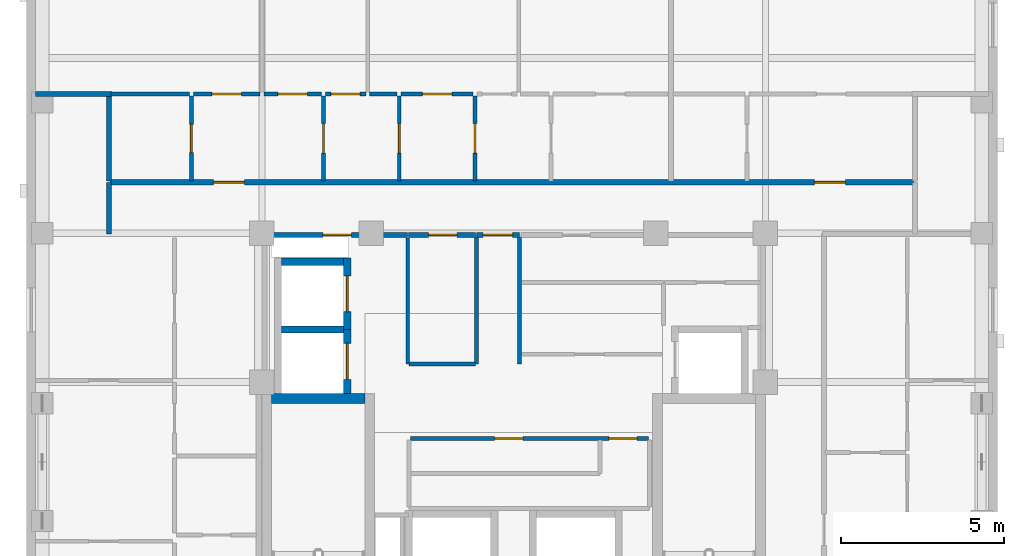
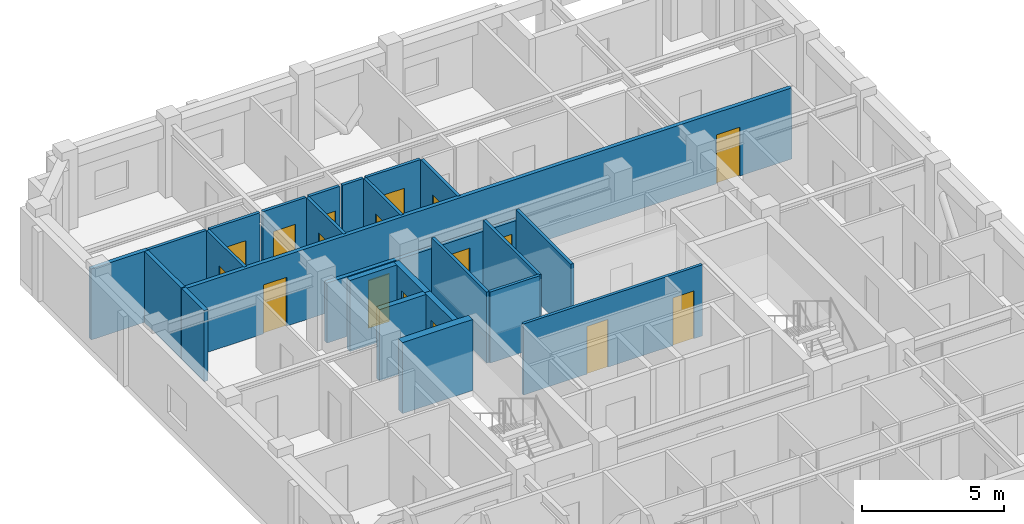
# One storey, part 5 of 11: 27 walls, 17 doors, 17 openings.
"""IFC4 building model written with IfcOpenShell, lengths in metres."""

from ifc_helpers import new_model, si_unit, derived_unit, direction, frame, frame_2d, origin, place, context, subcontext, project, spatial, rectangle, extrude, material, layer, layer_set, type_object, element, fill, save


model = new_model("IFC4")

# Units and contexts
model_context = context("Model", 3, precision=1e-05, world=origin(), true_north=direction((0.0, 1.0)))
body_context = subcontext(model_context, "Body", "Model", "MODEL_VIEW")
ifc_project = project(units=[si_unit("LENGTHUNIT", "METRE"), si_unit("AREAUNIT", "SQUARE_METRE"), si_unit("VOLUMEUNIT", "CUBIC_METRE"), si_unit("PLANEANGLEUNIT", "RADIAN"), si_unit("MASSUNIT", "GRAM", prefix="KILO"), derived_unit("THERMALTRANSMITTANCEUNIT", [(si_unit("MASSUNIT", "GRAM", prefix="KILO"), 1), (si_unit("TIMEUNIT", "SECOND"), -3), (si_unit("THERMODYNAMICTEMPERATUREUNIT", "KELVIN"), -1)])], contexts=[model_context])

# Site, building, storey
site_placement = place(None, origin())
site = spatial("IfcSite", under=ifc_project, at=site_placement, CompositionType="ELEMENT")
building_placement = place(site_placement, origin())
building = spatial("IfcBuilding", under=site, at=building_placement, Name="Korrvale Station Residences", CompositionType="ELEMENT")
storey_placement = place(building_placement, frame((0.0, 0.0, 258.10009765625)))
storey = spatial("IfcBuildingStorey", under=building, at=storey_placement, Name="L75", CompositionType="ELEMENT", Elevation=258.10009765625)

# Walls
ifc_material_1 = material(Name="Concrete C50/60", Category="concrete")
ifc_layer_1 = layer(ifc_material_1, 0.300048828125, Name="Concrete C50/60")
ifc_layer_set_1 = layer_set([ifc_layer_1], Name="Concrete C50/60")
wall_type_1 = type_object("IfcWallType", Name="WAL-CORE-300-C50", PredefinedType="SHEAR", material=ifc_layer_set_1)
wall_1_placement = place(storey_placement, frame((18.10009765625, 23.949951171875, 0.0), z_axis=(0.0, 0.0, 1.0), x_axis=(1.0, 0.0, 0.0)))
element("IfcWall", 1, at=wall_1_placement, inside=storey, type_object=wall_type_1, Name="L75 ST-1 Core Shear Wall North", PredefinedType="SHEAR", context=body_context, shape_type="SweptSolid", body=[
    extrude(rectangle(XDim=2.849853515625, YDim=0.300048828125, at=frame_2d((1.4248046875, 0.0))), origin(), (0.0, 0.0, 1.0), 3.0498046875),
])
ifc_material_2 = material(Name="Acoustic steel-stud gypsum board partition", Category="steel")
ifc_layer_2 = layer(ifc_material_2, 0.1201171875, Name="Acoustic steel-stud gypsum board partition")
ifc_layer_set_2 = layer_set([ifc_layer_2], Name="Acoustic steel-stud gypsum board partition")
wall_type_2 = type_object("IfcWallType", Name="WAL-PART-125", PredefinedType="PARTITIONING", material=ifc_layer_set_2)
for number, where, z_axis, x_axis, name in (
    (2, (24.360107421875, 25.0, 0.0), (0.0, 0.0, 1.0), (0.0, 1.0, 0.0), "L75 Core Partition CW-PSG-W"),
    (3, (25.679931640625, 25.0, 0.0), (0.0, 0.0, 1.0), (0.0, 1.0, 0.0), "L75 Core Partition CW-PSG-E"),
):
    element("IfcWall", number, at=place(storey_placement, frame(where, z_axis=z_axis, x_axis=x_axis)), inside=storey, type_object=wall_type_2, Name=name, PredefinedType="PARTITIONING", context=body_context, shape_type="SweptSolid", body=[
        extrude(rectangle(XDim=3.8701171875, YDim=0.1201171875, at=frame_2d((1.93505859375, 0.0))), origin(), (0.0, 0.0, 1.0), 3.0498046875),
    ])
wall_2_placement = place(storey_placement, frame((22.260009765625, 25.0, 0.0), z_axis=(0.0, 0.0, 1.0), x_axis=(0.0, 1.0, 0.0)))
element("IfcWall", 4, at=wall_2_placement, inside=storey, type_object=wall_type_2, Name="L75 Core Partition CW-FPLW-W", PredefinedType="PARTITIONING", context=body_context, shape_type="SweptSolid", body=[
    extrude(rectangle(XDim=3.860107421875, YDim=0.1201171875, at=frame_2d((1.93017578125, 0.0))), origin(), (0.0, 0.0, 1.0), 3.0498046875),
])
wall_3_placement = place(storey_placement, frame((22.300048828125, 25.0, 0.0), z_axis=(0.0, 0.0, 1.0), x_axis=(1.0, 0.0, 0.0)))
element("IfcWall", 5, at=wall_3_placement, inside=storey, type_object=wall_type_2, Name="L75 Core Partition CW-FPLW-S", PredefinedType="PARTITIONING", context=body_context, shape_type="SweptSolid", body=[
    extrude(rectangle(XDim=2.0400390625, YDim=0.1201171875, at=frame_2d((1.02001953125, 0.0))), origin(), (0.0, 0.0, 1.0), 3.0498046875),
])

# Wall, openings, doors
wall_4_placement = place(storey_placement, frame((22.35009765625, 22.719970703125, 0.0), z_axis=(0.0, 0.0, 1.0), x_axis=(1.0, 0.0, 0.0)))
wall_4 = element("IfcWall", 6, at=wall_4_placement, inside=storey, type_object=wall_type_2, Name="L75 Core Partition CW-FPM-N", PredefinedType="PARTITIONING", context=body_context, shape_type="SweptSolid", body=[
    extrude(rectangle(XDim=7.27001953125, YDim=0.1201171875, at=frame_2d((3.635009765625, 0.0))), origin(), (0.0, 0.0, 1.0), 3.0498046875),
])
opening_1_placement = place(wall_4_placement, frame((2.570068359375, 0.0, 0.0)))
opening_1 = element("IfcOpeningElement", 7, at=opening_1_placement, cuts=wall_4, Name="Opening DB-860", PredefinedType="OPENING", context=body_context, shape_type="SweptSolid", body=[
    extrude(rectangle(XDim=0.860107421875, YDim=2.050048828125, at=frame_2d((0.43017578125, 1.02490234375))), frame((0.0, 0.070068359375, 0.0), z_axis=(0.0, -1.0, 0.0), x_axis=(1.0, 0.0, 0.0)), (0.0, 0.0, 1.0), 0.14013671875),
])
opening_2_placement = place(wall_4_placement, frame((6.06005859375, 0.0, 0.0)))
opening_2 = element("IfcOpeningElement", 8, at=opening_2_placement, cuts=wall_4, Name="Opening DB-860", PredefinedType="OPENING", context=body_context, shape_type="SweptSolid", body=[
    extrude(rectangle(XDim=0.860107421875, YDim=2.050048828125, at=frame_2d((0.43017578125, 1.02490234375))), frame((0.0, 0.070068359375, 0.0), z_axis=(0.0, -1.0, 0.0), x_axis=(1.0, 0.0, 0.0)), (0.0, 0.0, 1.0), 0.14013671875),
])
ifc_material_3 = material(Name="Moisture-resistant solid-core bathroom door", Category="timber")
door_type_1 = type_object("IfcDoorType", Name="DR-BATH-860", OperationType="NOTDEFINED", PredefinedType="DOOR", material=ifc_material_3)
door_1_placement = place(opening_1_placement, origin())
door_1 = element("IfcDoor", 9, at=door_1_placement, inside=storey, type_object=door_type_1, Name="L75 Sky Pantry Door", OperationType="SINGLE_SWING_RIGHT", OverallHeight=2.050048828125, OverallWidth=0.860107421875, PredefinedType="DOOR", context=body_context, shape_type="SweptSolid", body=[
    extrude(rectangle(XDim=0.860107421875, YDim=2.050048828125, at=frame_2d((0.43017578125, 1.02490234375))), frame((0.0, 0.02490234375, 0.0), z_axis=(0.0, -1.0, 0.0), x_axis=(1.0, 0.0, 0.0)), (0.0, 0.0, 1.0), 0.050048828125),
])
fill(opening_1, door_1)
door_2_placement = place(opening_2_placement, origin())
door_2 = element("IfcDoor", 10, at=door_2_placement, inside=storey, type_object=door_type_1, Name="L75 Tableware Store Door", OperationType="SINGLE_SWING_LEFT", OverallHeight=2.050048828125, OverallWidth=0.860107421875, PredefinedType="DOOR", context=body_context, shape_type="SweptSolid", body=[
    extrude(rectangle(XDim=0.860107421875, YDim=2.050048828125, at=frame_2d((0.43017578125, 1.02490234375))), frame((0.0, 0.02490234375, 0.0), z_axis=(0.0, -1.0, 0.0), x_axis=(1.0, 0.0, 0.0)), (0.0, 0.0, 1.0), 0.050048828125),
])
fill(opening_2, door_2)

# Wall, opening, door
wall_5_placement = place(storey_placement, frame((15.639892578125, 30.60009765625, 0.0), z_axis=(0.0, 0.0, 1.0), x_axis=(0.0, 1.0, 0.0)))
wall_5 = element("IfcWall", 11, at=wall_5_placement, inside=storey, type_object=wall_type_2, Name="L75 Suite Partition U03-V01", PredefinedType="PARTITIONING", context=body_context, shape_type="SweptSolid", body=[
    extrude(rectangle(XDim=2.599853515625, YDim=0.1201171875, at=frame_2d((1.2998046875, 0.0))), origin(), (0.0, 0.0, 1.0), 3.0498046875),
])
opening_3_placement = place(wall_5_placement, frame((0.8701171875, 0.0, 0.0)))
opening_3 = element("IfcOpeningElement", 12, at=opening_3_placement, cuts=wall_5, Name="Opening DB-860", PredefinedType="OPENING", context=body_context, shape_type="SweptSolid", body=[
    extrude(rectangle(XDim=0.860107421875, YDim=2.050048828125, at=frame_2d((0.43017578125, 1.02490234375))), frame((0.0, 0.070068359375, 0.0), z_axis=(0.0, -1.0, 0.0), x_axis=(1.0, 0.0, 0.0)), (0.0, 0.0, 1.0), 0.14013671875),
])
door_3_placement = place(opening_3_placement, origin())
door_3 = element("IfcDoor", 13, at=door_3_placement, inside=storey, type_object=door_type_1, Name="L75 Apartment 2BR L75-U03 Bathroom Door", OperationType="SINGLE_SWING_RIGHT", OverallHeight=2.050048828125, OverallWidth=0.860107421875, PredefinedType="DOOR", context=body_context, shape_type="SweptSolid", body=[
    extrude(rectangle(XDim=0.860107421875, YDim=2.050048828125, at=frame_2d((0.43017578125, 1.02490234375))), frame((0.0, 0.02490234375, 0.0), z_axis=(0.0, -1.0, 0.0), x_axis=(1.0, 0.0, 0.0)), (0.0, 0.0, 1.0), 0.050048828125),
])
fill(opening_3, door_3)

# Wall
wall_6_placement = place(storey_placement, frame((13.179931640625, 33.260009765625, 0.0), z_axis=(0.0, 0.0, 1.0), x_axis=(1.0, 0.0, 0.0)))
element("IfcWall", 14, at=wall_6_placement, inside=storey, type_object=wall_type_2, Name="L75 Suite Partition U03-H06", PredefinedType="PARTITIONING", context=body_context, shape_type="SweptSolid", body=[
    extrude(rectangle(XDim=2.400146484375, YDim=0.1201171875, at=frame_2d((1.2001953125, 0.0))), origin(), (0.0, 0.0, 1.0), 3.0498046875),
])

# Wall, opening, door
wall_7_placement = place(storey_placement, frame((19.679931640625, 30.60009765625, 0.0), z_axis=(0.0, 0.0, 1.0), x_axis=(0.0, 1.0, 0.0)))
wall_7 = element("IfcWall", 15, at=wall_7_placement, inside=storey, type_object=wall_type_2, Name="L75 Suite Partition U03-V12", PredefinedType="PARTITIONING", context=body_context, shape_type="SweptSolid", body=[
    extrude(rectangle(XDim=2.599853515625, YDim=0.1201171875, at=frame_2d((1.2998046875, 0.0))), origin(), (0.0, 0.0, 1.0), 3.0498046875),
])
opening_4_placement = place(wall_7_placement, frame((0.85009765625, 0.0, 0.0)))
opening_4 = element("IfcOpeningElement", 16, at=opening_4_placement, cuts=wall_7, Name="Opening DI-900", PredefinedType="OPENING", context=body_context, shape_type="SweptSolid", body=[
    extrude(rectangle(XDim=0.89990234375, YDim=2.050048828125, at=frame_2d((0.449951171875, 1.02490234375))), frame((0.0, 0.070068359375, 0.0), z_axis=(0.0, -1.0, 0.0), x_axis=(1.0, 0.0, 0.0)), (0.0, 0.0, 1.0), 0.14013671875),
])
ifc_material_4 = material(Name="Painted solid-core timber interior room door", Category="wood")
door_type_2 = type_object("IfcDoorType", Name="DR-INT-900", OperationType="NOTDEFINED", PredefinedType="DOOR", material=ifc_material_4)
door_4_placement = place(opening_4_placement, origin())
door_4 = element("IfcDoor", 17, at=door_4_placement, inside=storey, type_object=door_type_2, Name="L75 Apartment 2BR L75-U03 Kitchen Door", OperationType="SINGLE_SWING_LEFT", OverallHeight=2.050048828125, OverallWidth=0.89990234375, PredefinedType="DOOR", context=body_context, shape_type="SweptSolid", body=[
    extrude(rectangle(XDim=0.89990234375, YDim=2.050048828125, at=frame_2d((0.449951171875, 1.02490234375))), frame((0.0, 0.02490234375, 0.0), z_axis=(0.0, -1.0, 0.0), x_axis=(1.0, 0.0, 0.0)), (0.0, 0.0, 1.0), 0.050048828125),
])
fill(opening_4, door_4)

wall_8_placement = place(storey_placement, frame((15.699951171875, 33.260009765625, 0.0), z_axis=(0.0, 0.0, 1.0), x_axis=(1.0, 0.0, 0.0)))
wall_8 = element("IfcWall", 18, at=wall_8_placement, inside=storey, type_object=wall_type_2, Name="L75 Suite Partition U03-H16", PredefinedType="PARTITIONING", context=body_context, shape_type="SweptSolid", body=[
    extrude(rectangle(XDim=2.0400390625, YDim=0.1201171875, at=frame_2d((1.02001953125, 0.0))), origin(), (0.0, 0.0, 1.0), 3.0498046875),
])
opening_5_placement = place(wall_8_placement, frame((0.570068359375, 0.0, 0.0)))
opening_5 = element("IfcOpeningElement", 19, at=opening_5_placement, cuts=wall_8, Name="Opening DI-900", PredefinedType="OPENING", context=body_context, shape_type="SweptSolid", body=[
    extrude(rectangle(XDim=0.89990234375, YDim=2.050048828125, at=frame_2d((0.449951171875, 1.02490234375))), frame((0.0, 0.070068359375, 0.0), z_axis=(0.0, -1.0, 0.0), x_axis=(1.0, 0.0, 0.0)), (0.0, 0.0, 1.0), 0.14013671875),
])
door_5_placement = place(opening_5_placement, origin())
door_5 = element("IfcDoor", 20, at=door_5_placement, inside=storey, type_object=door_type_2, Name="L75 Apartment 2BR L75-U03 Kitchen Door", OperationType="SINGLE_SWING_RIGHT", OverallHeight=2.050048828125, OverallWidth=0.89990234375, PredefinedType="DOOR", context=body_context, shape_type="SweptSolid", body=[
    extrude(rectangle(XDim=0.89990234375, YDim=2.050048828125, at=frame_2d((0.449951171875, 1.02490234375))), frame((0.0, 0.02490234375, 0.0), z_axis=(0.0, -1.0, 0.0), x_axis=(1.0, 0.0, 0.0)), (0.0, 0.0, 1.0), 0.050048828125),
])
fill(opening_5, door_5)

wall_9_placement = place(storey_placement, frame((17.860107421875, 33.260009765625, 0.0), z_axis=(0.0, 0.0, 1.0), x_axis=(1.0, 0.0, 0.0)))
wall_9 = element("IfcWall", 21, at=wall_9_placement, inside=storey, type_object=wall_type_2, Name="L75 Suite Partition U03-H17", PredefinedType="PARTITIONING", context=body_context, shape_type="SweptSolid", body=[
    extrude(rectangle(XDim=1.760009765625, YDim=0.1201171875, at=frame_2d((0.8798828125, 0.0))), origin(), (0.0, 0.0, 1.0), 3.0498046875),
])
opening_6_placement = place(wall_9_placement, frame((0.429931640625, 0.0, 0.0)))
opening_6 = element("IfcOpeningElement", 22, at=opening_6_placement, cuts=wall_9, Name="Opening DI-900", PredefinedType="OPENING", context=body_context, shape_type="SweptSolid", body=[
    extrude(rectangle(XDim=0.89990234375, YDim=2.050048828125, at=frame_2d((0.449951171875, 1.02490234375))), frame((0.0, 0.070068359375, 0.0), z_axis=(0.0, -1.0, 0.0), x_axis=(1.0, 0.0, 0.0)), (0.0, 0.0, 1.0), 0.14013671875),
])
door_6_placement = place(opening_6_placement, origin())
door_6 = element("IfcDoor", 23, at=door_6_placement, inside=storey, type_object=door_type_2, Name="L75 Apartment 2BR L75-U03 Kitchen Door", OperationType="SINGLE_SWING_LEFT", OverallHeight=2.050048828125, OverallWidth=0.89990234375, PredefinedType="DOOR", context=body_context, shape_type="SweptSolid", body=[
    extrude(rectangle(XDim=0.89990234375, YDim=2.050048828125, at=frame_2d((0.449951171875, 1.02490234375))), frame((0.0, 0.02490234375, 0.0), z_axis=(0.0, -1.0, 0.0), x_axis=(1.0, 0.0, 0.0)), (0.0, 0.0, 1.0), 0.050048828125),
])
fill(opening_6, door_6)

wall_10_placement = place(storey_placement, frame((22.0, 30.60009765625, 0.0), z_axis=(0.0, 0.0, 1.0), x_axis=(0.0, 1.0, 0.0)))
wall_10 = element("IfcWall", 24, at=wall_10_placement, inside=storey, type_object=wall_type_2, Name="L75 Suite Partition U03-V23", PredefinedType="PARTITIONING", context=body_context, shape_type="SweptSolid", body=[
    extrude(rectangle(XDim=2.599853515625, YDim=0.1201171875, at=frame_2d((1.2998046875, 0.0))), origin(), (0.0, 0.0, 1.0), 3.0498046875),
])
opening_7_placement = place(wall_10_placement, frame((0.85009765625, 0.0, 0.0)))
opening_7 = element("IfcOpeningElement", 25, at=opening_7_placement, cuts=wall_10, Name="Opening DI-900", PredefinedType="OPENING", context=body_context, shape_type="SweptSolid", body=[
    extrude(rectangle(XDim=0.89990234375, YDim=2.050048828125, at=frame_2d((0.449951171875, 1.02490234375))), frame((0.0, 0.070068359375, 0.0), z_axis=(0.0, -1.0, 0.0), x_axis=(1.0, 0.0, 0.0)), (0.0, 0.0, 1.0), 0.14013671875),
])
door_7_placement = place(opening_7_placement, origin())
door_7 = element("IfcDoor", 26, at=door_7_placement, inside=storey, type_object=door_type_2, Name="L75 Apartment 2BR L75-U03 Wardrobe Storage Room Door", OperationType="SINGLE_SWING_RIGHT", OverallHeight=2.050048828125, OverallWidth=0.89990234375, PredefinedType="DOOR", context=body_context, shape_type="SweptSolid", body=[
    extrude(rectangle(XDim=0.89990234375, YDim=2.050048828125, at=frame_2d((0.449951171875, 1.02490234375))), frame((0.0, 0.02490234375, 0.0), z_axis=(0.0, -1.0, 0.0), x_axis=(1.0, 0.0, 0.0)), (0.0, 0.0, 1.0), 0.050048828125),
])
fill(opening_7, door_7)

wall_11_placement = place(storey_placement, frame((19.739990234375, 33.260009765625, 0.0), z_axis=(0.0, 0.0, 1.0), x_axis=(1.0, 0.0, 0.0)))
wall_11 = element("IfcWall", 27, at=wall_11_placement, inside=storey, type_object=wall_type_2, Name="L75 Suite Partition U03-H27", PredefinedType="PARTITIONING", context=body_context, shape_type="SweptSolid", body=[
    extrude(rectangle(XDim=1.237060546875, YDim=0.1201171875, at=frame_2d((0.61865234375, 0.0))), origin(), (0.0, 0.0, 1.0), 3.0498046875),
])
opening_8_placement = place(wall_11_placement, frame((0.16796875, 0.0, 0.0)))
opening_8 = element("IfcOpeningElement", 28, at=opening_8_placement, cuts=wall_11, Name="Opening DI-900", PredefinedType="OPENING", context=body_context, shape_type="SweptSolid", body=[
    extrude(rectangle(XDim=0.89990234375, YDim=2.050048828125, at=frame_2d((0.449951171875, 1.02490234375))), frame((0.0, 0.070068359375, 0.0), z_axis=(0.0, -1.0, 0.0), x_axis=(1.0, 0.0, 0.0)), (0.0, 0.0, 1.0), 0.14013671875),
])
door_8_placement = place(opening_8_placement, origin())
door_8 = element("IfcDoor", 29, at=door_8_placement, inside=storey, type_object=door_type_2, Name="L75 Apartment 2BR L75-U03 Wardrobe Storage Room Door", OperationType="SINGLE_SWING_LEFT", OverallHeight=2.050048828125, OverallWidth=0.89990234375, PredefinedType="DOOR", context=body_context, shape_type="SweptSolid", body=[
    extrude(rectangle(XDim=0.89990234375, YDim=2.050048828125, at=frame_2d((0.449951171875, 1.02490234375))), frame((0.0, 0.02490234375, 0.0), z_axis=(0.0, -1.0, 0.0), x_axis=(1.0, 0.0, 0.0)), (0.0, 0.0, 1.0), 0.050048828125),
])
fill(opening_8, door_8)

# Wall
wall_12_placement = place(storey_placement, frame((21.096923828125, 33.260009765625, 0.0), z_axis=(0.0, 0.0, 1.0), x_axis=(1.0, 0.0, 0.0)))
element("IfcWall", 30, at=wall_12_placement, inside=storey, type_object=wall_type_2, Name="L75 Suite Partition U03-H28", PredefinedType="PARTITIONING", context=body_context, shape_type="SweptSolid", body=[
    extrude(rectangle(XDim=0.843017578125, YDim=0.1201171875, at=frame_2d((0.42138671875, 0.0))), origin(), (0.0, 0.0, 1.0), 3.0498046875),
])

# Wall, opening, door
wall_13_placement = place(storey_placement, frame((24.320068359375, 30.60009765625, 0.0), z_axis=(0.0, 0.0, 1.0), x_axis=(0.0, 1.0, 0.0)))
wall_13 = element("IfcWall", 31, at=wall_13_placement, inside=storey, type_object=wall_type_2, Name="L75 Suite Partition U03-V34", PredefinedType="PARTITIONING", context=body_context, shape_type="SweptSolid", body=[
    extrude(rectangle(XDim=2.599853515625, YDim=0.1201171875, at=frame_2d((1.2998046875, 0.0))), origin(), (0.0, 0.0, 1.0), 3.0498046875),
])
opening_9_placement = place(wall_13_placement, frame((0.85009765625, 0.0, 0.0)))
opening_9 = element("IfcOpeningElement", 32, at=opening_9_placement, cuts=wall_13, Name="Opening DI-900", PredefinedType="OPENING", context=body_context, shape_type="SweptSolid", body=[
    extrude(rectangle(XDim=0.89990234375, YDim=2.050048828125, at=frame_2d((0.449951171875, 1.02490234375))), frame((0.0, 0.070068359375, 0.0), z_axis=(0.0, -1.0, 0.0), x_axis=(1.0, 0.0, 0.0)), (0.0, 0.0, 1.0), 0.14013671875),
])
door_9_placement = place(opening_9_placement, origin())
door_9 = element("IfcDoor", 33, at=door_9_placement, inside=storey, type_object=door_type_2, Name="L75 Apartment 2BR L75-U03 Wardrobe Storage Room Door", OperationType="SINGLE_SWING_RIGHT", OverallHeight=2.050048828125, OverallWidth=0.89990234375, PredefinedType="DOOR", context=body_context, shape_type="SweptSolid", body=[
    extrude(rectangle(XDim=0.89990234375, YDim=2.050048828125, at=frame_2d((0.449951171875, 1.02490234375))), frame((0.0, 0.02490234375, 0.0), z_axis=(0.0, -1.0, 0.0), x_axis=(1.0, 0.0, 0.0)), (0.0, 0.0, 1.0), 0.050048828125),
])
fill(opening_9, door_9)

wall_14_placement = place(storey_placement, frame((22.06005859375, 33.260009765625, 0.0), z_axis=(0.0, 0.0, 1.0), x_axis=(1.0, 0.0, 0.0)))
wall_14 = element("IfcWall", 34, at=wall_14_placement, inside=storey, type_object=wall_type_2, Name="L75 Suite Partition U03-H38", PredefinedType="PARTITIONING", context=body_context, shape_type="SweptSolid", body=[
    extrude(rectangle(XDim=2.199951171875, YDim=0.1201171875, at=frame_2d((1.10009765625, 0.0))), origin(), (0.0, 0.0, 1.0), 3.0498046875),
])
opening_10_placement = place(wall_14_placement, frame((0.64990234375, 0.0, 0.0)))
opening_10 = element("IfcOpeningElement", 35, at=opening_10_placement, cuts=wall_14, Name="Opening DI-900", PredefinedType="OPENING", context=body_context, shape_type="SweptSolid", body=[
    extrude(rectangle(XDim=0.89990234375, YDim=2.050048828125, at=frame_2d((0.449951171875, 1.02490234375))), frame((0.0, 0.070068359375, 0.0), z_axis=(0.0, -1.0, 0.0), x_axis=(1.0, 0.0, 0.0)), (0.0, 0.0, 1.0), 0.14013671875),
])
door_10_placement = place(opening_10_placement, origin())
door_10 = element("IfcDoor", 36, at=door_10_placement, inside=storey, type_object=door_type_2, Name="L75 Apartment 2BR L75-U03 Wardrobe Storage Room Door", OperationType="SINGLE_SWING_LEFT", OverallHeight=2.050048828125, OverallWidth=0.89990234375, PredefinedType="DOOR", context=body_context, shape_type="SweptSolid", body=[
    extrude(rectangle(XDim=0.89990234375, YDim=2.050048828125, at=frame_2d((0.449951171875, 1.02490234375))), frame((0.0, 0.02490234375, 0.0), z_axis=(0.0, -1.0, 0.0), x_axis=(1.0, 0.0, 0.0)), (0.0, 0.0, 1.0), 0.050048828125),
])
fill(opening_10, door_10)

ifc_material_5 = material(Name="Fire-rated twin-stud gypsum and mineral wool shaftwall assembly", Category="gypsum")
ifc_layer_3 = layer(ifc_material_5, 0.159912109375, Name="Fire-rated twin-stud gypsum and mineral wool shaftwall assembly")
ifc_layer_set_3 = layer_set([ifc_layer_3], Name="Fire-rated twin-stud gypsum and mineral wool shaftwall assembly")
wall_type_3 = type_object("IfcWallType", Name="WAL-PART-200", PredefinedType="PARTITIONING", material=ifc_layer_set_3)
wall_15_placement = place(storey_placement, frame((24.360107421875, 28.949951171875, 0.0), z_axis=(0.0, 0.0, 1.0), x_axis=(1.0, 0.0, 0.0)))
wall_15 = element("IfcWall", 37, at=wall_15_placement, inside=storey, type_object=wall_type_3, Name="L75 Core Partition CW-LLOB-N", PredefinedType="PARTITIONING", context=body_context, shape_type="SweptSolid", body=[
    extrude(rectangle(XDim=1.31982421875, YDim=0.159912109375, at=frame_2d((0.659912109375, 0.0))), origin(), (0.0, 0.0, 1.0), 2.577880859375),
])
opening_11_placement = place(wall_15_placement, frame((0.2099609375, 0.0, 0.0)))
opening_11 = element("IfcOpeningElement", 38, at=opening_11_placement, cuts=wall_15, Name="Opening DI-900", PredefinedType="OPENING", context=body_context, shape_type="SweptSolid", body=[
    extrude(rectangle(XDim=0.89990234375, YDim=2.050048828125, at=frame_2d((0.449951171875, 1.02490234375))), frame((0.0, 0.08984375, 0.0), z_axis=(0.0, -1.0, 0.0), x_axis=(1.0, 0.0, 0.0)), (0.0, 0.0, 1.0), 0.179931640625),
])
door_11_placement = place(opening_11_placement, origin())
door_11 = element("IfcDoor", 39, at=door_11_placement, inside=storey, type_object=door_type_2, Name="L75 Central Hallway North Passage Door", OperationType="SINGLE_SWING_RIGHT", OverallHeight=2.050048828125, OverallWidth=0.89990234375, PredefinedType="DOOR", context=body_context, shape_type="SweptSolid", body=[
    extrude(rectangle(XDim=0.89990234375, YDim=2.050048828125, at=frame_2d((0.449951171875, 1.02490234375))), frame((0.0, 0.02490234375, 0.0), z_axis=(0.0, -1.0, 0.0), x_axis=(1.0, 0.0, 0.0)), (0.0, 0.0, 1.0), 0.050048828125),
])
fill(opening_11, door_11)

wall_16_placement = place(storey_placement, frame((17.9599609375, 28.949951171875, 0.0), z_axis=(0.0, 0.0, 1.0), x_axis=(1.0, 0.0, 0.0)))
wall_16 = element("IfcWall", 40, at=wall_16_placement, inside=storey, type_object=wall_type_3, Name="L75 Core Partition CW-NW", PredefinedType="PARTITIONING", context=body_context, shape_type="SweptSolid", body=[
    extrude(rectangle(XDim=4.2900390625, YDim=0.159912109375, at=frame_2d((2.14501953125, 0.0))), origin(), (0.0, 0.0, 1.0), 2.577880859375),
])
opening_12_placement = place(wall_16_placement, frame((1.715087890625, 0.0, 0.0)))
opening_12 = element("IfcOpeningElement", 41, at=opening_12_placement, cuts=wall_16, Name="Opening DB-860", PredefinedType="OPENING", context=body_context, shape_type="SweptSolid", body=[
    extrude(rectangle(XDim=0.860107421875, YDim=2.050048828125, at=frame_2d((0.43017578125, 1.02490234375))), frame((0.0, 0.08984375, 0.0), z_axis=(0.0, -1.0, 0.0), x_axis=(1.0, 0.0, 0.0)), (0.0, 0.0, 1.0), 0.179931640625),
])
door_12_placement = place(opening_12_placement, origin())
door_12 = element("IfcDoor", 42, at=door_12_placement, inside=storey, type_object=door_type_1, Name="L75 Electrical Riser Access Door", OperationType="SINGLE_SWING_LEFT", OverallHeight=2.050048828125, OverallWidth=0.860107421875, PredefinedType="DOOR", context=body_context, shape_type="SweptSolid", body=[
    extrude(rectangle(XDim=0.860107421875, YDim=2.050048828125, at=frame_2d((0.43017578125, 1.02490234375))), frame((0.0, 0.02490234375, 0.0), z_axis=(0.0, -1.0, 0.0), x_axis=(1.0, 0.0, 0.0)), (0.0, 0.0, 1.0), 0.050048828125),
])
fill(opening_12, door_12)

wall_17_placement = place(storey_placement, frame((22.280029296875, 28.949951171875, 0.0), z_axis=(0.0, 0.0, 1.0), x_axis=(1.0, 0.0, 0.0)))
wall_17 = element("IfcWall", 43, at=wall_17_placement, inside=storey, type_object=wall_type_3, Name="L75 Core Partition CW-FPLW-N", PredefinedType="PARTITIONING", context=body_context, shape_type="SweptSolid", body=[
    extrude(rectangle(XDim=2.06005859375, YDim=0.159912109375, at=frame_2d((1.030029296875, 0.0))), origin(), (0.0, 0.0, 1.0), 2.577880859375),
])
opening_13_placement = place(wall_17_placement, frame((0.6201171875, 0.0, 0.0)))
opening_13 = element("IfcOpeningElement", 44, at=opening_13_placement, cuts=wall_17, Name="Opening DB-860", PredefinedType="OPENING", context=body_context, shape_type="SweptSolid", body=[
    extrude(rectangle(XDim=0.860107421875, YDim=2.050048828125, at=frame_2d((0.43017578125, 1.02490234375))), frame((0.0, 0.08984375, 0.0), z_axis=(0.0, -1.0, 0.0), x_axis=(1.0, 0.0, 0.0)), (0.0, 0.0, 1.0), 0.179931640625),
])
door_13_placement = place(opening_13_placement, origin())
door_13 = element("IfcDoor", 45, at=door_13_placement, inside=storey, type_object=door_type_1, Name="L75 Resident Parcel Room Door", OperationType="SINGLE_SWING_LEFT", OverallHeight=2.050048828125, OverallWidth=0.860107421875, PredefinedType="DOOR", context=body_context, shape_type="SweptSolid", body=[
    extrude(rectangle(XDim=0.860107421875, YDim=2.050048828125, at=frame_2d((0.43017578125, 1.02490234375))), frame((0.0, 0.02490234375, 0.0), z_axis=(0.0, -1.0, 0.0), x_axis=(1.0, 0.0, 0.0)), (0.0, 0.0, 1.0), 0.050048828125),
])
fill(opening_13, door_13)

# Walls
wall_18_placement = place(storey_placement, frame((13.1201171875, 28.97998046875, 0.0), z_axis=(0.0, 0.0, 1.0), x_axis=(0.0, 1.0, 0.0)))
element("IfcWall", 46, at=wall_18_placement, inside=storey, type_object=wall_type_3, Name="L75 Corridor North West Cap", PredefinedType="PARTITIONING", context=body_context, shape_type="SweptSolid", body=[
    extrude(rectangle(XDim=1.580078125, YDim=0.159912109375, at=frame_2d((0.7900390625, 0.0))), origin(), (0.0, 0.0, 1.0), 3.0498046875),
])
wall_19_placement = place(storey_placement, frame((10.8798828125, 33.260009765625, 0.0), z_axis=(0.0, 0.0, 1.0), x_axis=(1.0, 0.0, 0.0)))
element("IfcWall", 47, at=wall_19_placement, inside=storey, type_object=wall_type_3, Name="L75 Corner Step Wall U03-L", PredefinedType="PARTITIONING", context=body_context, shape_type="SweptSolid", body=[
    extrude(rectangle(XDim=2.340087890625, YDim=0.159912109375, at=frame_2d((1.169921875, 0.0))), origin(), (0.0, 0.0, 1.0), 3.0498046875),
])
wall_20_placement = place(storey_placement, frame((13.1201171875, 30.60009765625, 0.0), z_axis=(0.0, 0.0, 1.0), x_axis=(0.0, 1.0, 0.0)))
element("IfcWall", 48, at=wall_20_placement, inside=storey, type_object=wall_type_3, Name="L75 Corner Step Cheek U03-L", PredefinedType="PARTITIONING", context=body_context, shape_type="SweptSolid", body=[
    extrude(rectangle(XDim=2.659912109375, YDim=0.159912109375, at=frame_2d((1.330078125, 0.0))), origin(), (0.0, 0.0, 1.0), 3.0498046875),
])

# Wall, openings, doors
wall_21_placement = place(storey_placement, frame((13.14990234375, 30.56005859375, 0.0), z_axis=(0.0, 0.0, 1.0), x_axis=(1.0, 0.0, 0.0)))
wall_21 = element("IfcWall", 49, at=wall_21_placement, inside=storey, type_object=wall_type_3, Name="L75 Rated Corridor Wall N", PredefinedType="PARTITIONING", context=body_context, shape_type="SweptSolid", body=[
    extrude(rectangle(XDim=24.60009765625, YDim=0.159912109375, at=frame_2d((12.300048828125, 0.0))), origin(), (0.0, 0.0, 1.0), 3.0498046875),
])
opening_14_placement = place(wall_21_placement, frame((3.1650390625, 0.0, 0.0)))
opening_14 = element("IfcOpeningElement", 50, at=opening_14_placement, cuts=wall_21, Name="Opening UD-950", PredefinedType="OPENING", context=body_context, shape_type="SweptSolid", body=[
    extrude(rectangle(XDim=0.949951171875, YDim=2.10009765625, at=frame_2d((0.47509765625, 1.050048828125))), frame((0.0, 0.08984375, 0.0), z_axis=(0.0, -1.0, 0.0), x_axis=(1.0, 0.0, 0.0)), (0.0, 0.0, 1.0), 0.179931640625),
])
opening_15_placement = place(wall_21_placement, frame((21.550048828125, 0.0, 0.0)))
opening_15 = element("IfcOpeningElement", 51, at=opening_15_placement, cuts=wall_21, Name="Opening UD-950", PredefinedType="OPENING", context=body_context, shape_type="SweptSolid", body=[
    extrude(rectangle(XDim=0.949951171875, YDim=2.10009765625, at=frame_2d((0.47509765625, 1.050048828125))), frame((0.0, 0.08984375, 0.0), z_axis=(0.0, -1.0, 0.0), x_axis=(1.0, 0.0, 0.0)), (0.0, 0.0, 1.0), 0.179931640625),
])
ifc_material_6 = material(Name="Solid-core acoustic oak apartment entrance door", Category="timber")
door_type_3 = type_object("IfcDoorType", Name="DR-UNIT-950", OperationType="NOTDEFINED", PredefinedType="DOOR", material=ifc_material_6)
door_14_placement = place(opening_14_placement, origin())
door_14 = element("IfcDoor", 52, at=door_14_placement, inside=storey, type_object=door_type_3, Name="L75 Apartment L75-U03 Entrance Door", OperationType="SINGLE_SWING_LEFT", OverallHeight=2.10009765625, OverallWidth=0.949951171875, PredefinedType="DOOR", context=body_context, shape_type="SweptSolid", body=[
    extrude(rectangle(XDim=0.949951171875, YDim=2.10009765625, at=frame_2d((0.47509765625, 1.050048828125))), frame((0.0, 0.02490234375, 0.0), z_axis=(0.0, -1.0, 0.0), x_axis=(1.0, 0.0, 0.0)), (0.0, 0.0, 1.0), 0.050048828125),
])
fill(opening_14, door_14)
door_15_placement = place(opening_15_placement, origin())
door_15 = element("IfcDoor", 53, at=door_15_placement, inside=storey, type_object=door_type_3, Name="L75 Apartment L75-U04 Entrance Door", OperationType="SINGLE_SWING_RIGHT", OverallHeight=2.10009765625, OverallWidth=0.949951171875, PredefinedType="DOOR", context=body_context, shape_type="SweptSolid", body=[
    extrude(rectangle(XDim=0.949951171875, YDim=2.10009765625, at=frame_2d((0.47509765625, 1.050048828125))), frame((0.0, 0.02490234375, 0.0), z_axis=(0.0, -1.0, 0.0), x_axis=(1.0, 0.0, 0.0)), (0.0, 0.0, 1.0), 0.050048828125),
])
fill(opening_15, door_15)

# Wall, opening, door
ifc_layer_4 = layer(ifc_material_1, 0.219970703125, Name="Concrete C50/60")
ifc_layer_set_4 = layer_set([ifc_layer_4], Name="Concrete C50/60")
wall_type_4 = type_object("IfcWallType", Name="WAL-SHAFT-220-C50", PredefinedType="SHEAR", material=ifc_layer_set_4)
wall_22_placement = place(storey_placement, frame((20.409912109375, 24.10009765625, 0.0), z_axis=(0.0, 0.0, 1.0), x_axis=(0.0, 1.0, 0.0)))
wall_22 = element("IfcWall", 54, at=wall_22_placement, inside=storey, type_object=wall_type_4, Name="L75 Elevator PH-1 Hoistway Wall East", PredefinedType="SHEAR", context=body_context, shape_type="SweptSolid", body=[
    extrude(rectangle(XDim=1.9599609375, YDim=0.219970703125, at=frame_2d((0.97998046875, 0.0))), origin(), (0.0, 0.0, 1.0), 3.0498046875),
])
opening_16_placement = place(wall_22_placement, frame((0.429931640625, 0.0, 0.0)))
opening_16 = element("IfcOpeningElement", 55, at=opening_16_placement, cuts=wall_22, Name="Opening LD-1100", PredefinedType="OPENING", context=body_context, shape_type="SweptSolid", body=[
    extrude(rectangle(XDim=1.10009765625, YDim=2.14990234375, at=frame_2d((0.550048828125, 1.074951171875))), frame((0.0, 0.1201171875, 0.0), z_axis=(0.0, -1.0, 0.0), x_axis=(1.0, 0.0, 0.0)), (0.0, 0.0, 1.0), 0.239990234375),
])
ifc_material_7 = material(Name="Brushed stainless-steel elevator landing sliding door", Category="steel")
door_type_4 = type_object("IfcDoorType", Name="DR-LIFT-1100", OperationType="SLIDING_TO_LEFT", PredefinedType="DOOR", material=ifc_material_7)
door_16_placement = place(opening_16_placement, origin())
door_16 = element("IfcDoor", 56, at=door_16_placement, inside=storey, type_object=door_type_4, Name="L75 Elevator PH-1 Sliding Landing Door", OperationType="SLIDING_TO_LEFT", OverallHeight=2.14990234375, OverallWidth=1.10009765625, PredefinedType="DOOR", context=body_context, shape_type="SweptSolid", body=[
    extrude(rectangle(XDim=1.10009765625, YDim=2.14990234375, at=frame_2d((0.550048828125, 1.074951171875))), frame((0.0, 0.02490234375, 0.0), z_axis=(0.0, -1.0, 0.0), x_axis=(1.0, 0.0, 0.0)), (0.0, 0.0, 1.0), 0.050048828125),
])
fill(opening_16, door_16)

# Walls
for number, where, z_axis, x_axis, name in (
    (57, (18.39990234375, 26.06005859375, 0.0), (0.0, 0.0, 1.0), (1.0, 0.0, 0.0), "L75 Elevator PH-2 Hoistway Wall South"),
    (58, (18.39990234375, 28.1298828125, 0.0), (0.0, 0.0, 1.0), (1.0, 0.0, 0.0), "L75 Elevator PH-2 Hoistway Wall North"),
):
    element("IfcWall", number, at=place(storey_placement, frame(where, z_axis=z_axis, x_axis=x_axis)), inside=storey, type_object=wall_type_4, Name=name, PredefinedType="SHEAR", context=body_context, shape_type="SweptSolid", body=[
        extrude(rectangle(XDim=1.900146484375, YDim=0.219970703125, at=frame_2d((0.9501953125, 0.0))), origin(), (0.0, 0.0, 1.0), 3.0498046875),
    ])

# Wall, opening, door
wall_23_placement = place(storey_placement, frame((20.409912109375, 26.06005859375, 0.0), z_axis=(0.0, 0.0, 1.0), x_axis=(0.0, 1.0, 0.0)))
wall_23 = element("IfcWall", 59, at=wall_23_placement, inside=storey, type_object=wall_type_4, Name="L75 Elevator PH-2 Hoistway Wall East", PredefinedType="SHEAR", context=body_context, shape_type="SweptSolid", body=[
    extrude(rectangle(XDim=2.179931640625, YDim=0.219970703125, at=frame_2d((1.08984375, 0.0))), origin(), (0.0, 0.0, 1.0), 3.0498046875),
])
opening_17_placement = place(wall_23_placement, frame((0.5400390625, 0.0, 0.0)))
opening_17 = element("IfcOpeningElement", 60, at=opening_17_placement, cuts=wall_23, Name="Opening LD-1100", PredefinedType="OPENING", context=body_context, shape_type="SweptSolid", body=[
    extrude(rectangle(XDim=1.10009765625, YDim=2.14990234375, at=frame_2d((0.550048828125, 1.074951171875))), frame((0.0, 0.1201171875, 0.0), z_axis=(0.0, -1.0, 0.0), x_axis=(1.0, 0.0, 0.0)), (0.0, 0.0, 1.0), 0.239990234375),
])
door_17_placement = place(opening_17_placement, origin())
door_17 = element("IfcDoor", 61, at=door_17_placement, inside=storey, type_object=door_type_4, Name="L75 Elevator PH-2 Sliding Landing Door", OperationType="SLIDING_TO_LEFT", OverallHeight=2.14990234375, OverallWidth=1.10009765625, PredefinedType="DOOR", context=body_context, shape_type="SweptSolid", body=[
    extrude(rectangle(XDim=1.10009765625, YDim=2.14990234375, at=frame_2d((0.550048828125, 1.074951171875))), frame((0.0, 0.02490234375, 0.0), z_axis=(0.0, -1.0, 0.0), x_axis=(1.0, 0.0, 0.0)), (0.0, 0.0, 1.0), 0.050048828125),
])
fill(opening_17, door_17)

save(model, "model.ifc")
